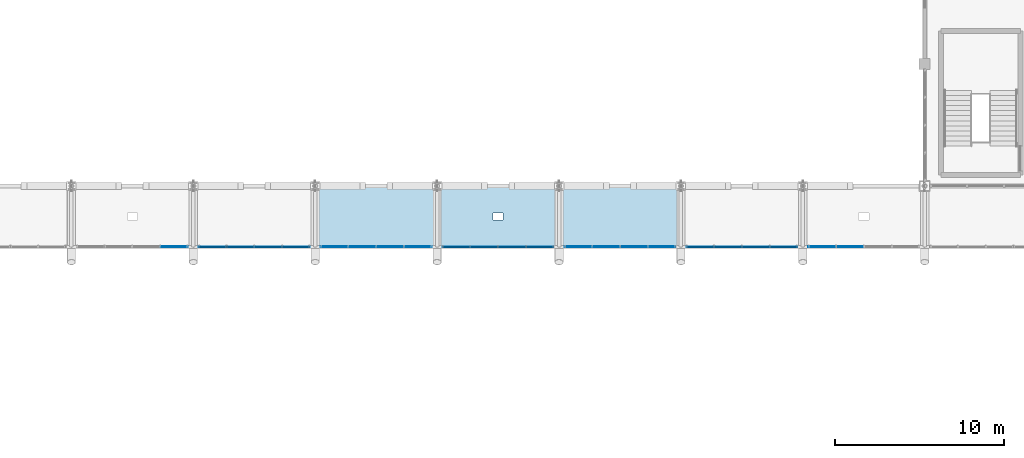
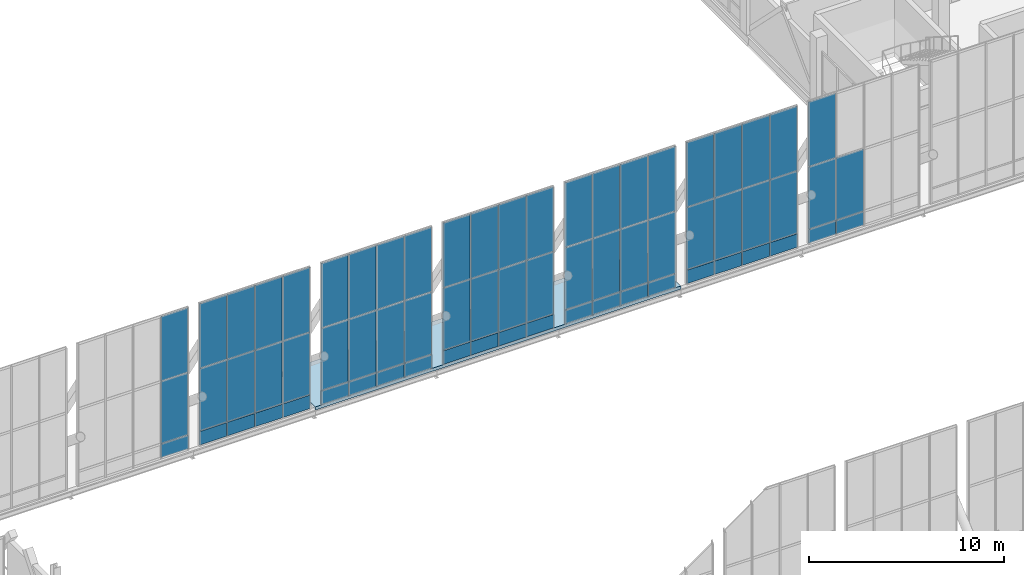
# One storey, part 79 of 102: 68 plates, 1 slab, 7 elements without a shape of their own.
"""IFC4 building model written with IfcOpenShell, lengths in metres."""

from ifc_helpers import new_model, si_unit, direction, frame, origin, origin_2d, place, context, subcontext, project, spatial, polyline, rectangle, outline, extrude, material, layer, layer_set, type_object, element, aggregate, save


model = new_model("IFC4")

# Units and contexts
model_context = context("Model", 3, precision=1e-05, world=origin(), true_north=direction((0.0, 1.0)))
body_context = subcontext(model_context, "Body", "Model", "MODEL_VIEW")
ifc_project = project(units=[si_unit("LENGTHUNIT", "METRE"), si_unit("AREAUNIT", "SQUARE_METRE"), si_unit("VOLUMEUNIT", "CUBIC_METRE"), si_unit("PLANEANGLEUNIT", "RADIAN"), si_unit("MASSUNIT", "GRAM", prefix="KILO")], contexts=[model_context])

# Site, building, storey
site_placement = place(None, origin())
site = spatial("IfcSite", under=ifc_project, at=site_placement, CompositionType="ELEMENT")
building_placement = place(site_placement, origin())
building = spatial("IfcBuilding", under=site, at=building_placement, Name="Yarey Park Central Fire Station", CompositionType="ELEMENT")
storey_placement = place(building_placement, frame((0.0, 0.0, 6.0)))
storey = spatial("IfcBuildingStorey", under=building, at=storey_placement, Name="L02", CompositionType="ELEMENT", Elevation=6.0)

# Curtain wall, plate
ifc_material_1 = material(Name="Anodized Aluminium Frame", Category="aluminium")
curtain_wall_type = type_object("IfcCurtainWallType", Name="ENV_CW_CLER_9M", PredefinedType="NOTDEFINED", material=ifc_material_1)
curtain_wall_1_placement = place(storey_placement, origin())
curtain_wall_1 = element("IfcCurtainWall", 1, at=curtain_wall_1_placement, inside=storey, type_object=curtain_wall_type, Name="CW_V2_CLER_N_02", PredefinedType="NOTDEFINED")
ifc_material_2 = material(Name="Insulated Aluminium Spandrel Panel", Category="aluminium")
ifc_layer_1 = layer(ifc_material_2, 0.055908203125)
ifc_layer_set_1 = layer_set([ifc_layer_1], Name="Insulated Aluminium Spandrel Panel")
plate_type_1 = type_object("IfcPlateType", Name="ENV_PNL_SPN_01", PredefinedType="CURTAIN_PANEL", material=ifc_layer_set_1)
plate_1_placement = place(storey_placement, frame((70.867431640625, 90.0, 0.04248046875), z_axis=(0.0, 0.0, 1.0), x_axis=(-1.0, 0.0, 0.0)))
plate_1 = element("IfcPlate", 2, at=plate_1_placement, type_object=plate_type_1, Name="CW_V2_CLER_N_02_PNL01", PredefinedType="CURTAIN_PANEL", context=body_context, shape_type="SweptSolid", body=[
    extrude(rectangle(XDim=1.60498046875, YDim=0.055908203125, at=origin_2d()), origin(), (0.0, 0.0, 1.0), 0.840087890625),
])

# Curtain wall, plates
curtain_wall_2_placement = place(storey_placement, origin())
curtain_wall_2 = element("IfcCurtainWall", 3, at=curtain_wall_2_placement, inside=storey, type_object=curtain_wall_type, Name="CW_V2_CLER_N_04", PredefinedType="NOTDEFINED")
plate_2_placement = place(storey_placement, frame((85.267578125, 90.0, 0.04248046875), z_axis=(0.0, 0.0, 1.0), x_axis=(-1.0, 0.0, 0.0)))
plate_2 = element("IfcPlate", 4, at=plate_2_placement, type_object=plate_type_1, Name="CW_V2_CLER_N_04_PNL01", PredefinedType="CURTAIN_PANEL", context=body_context, shape_type="SweptSolid", body=[
    extrude(rectangle(XDim=1.60498046875, YDim=0.055908203125, at=origin_2d()), origin(), (0.0, 0.0, 1.0), 0.840087890625),
])
plate_3_placement = place(storey_placement, frame((83.62255859375, 90.0, 0.04248046875), z_axis=(0.0, 0.0, 1.0), x_axis=(-1.0, 0.0, 0.0)))
plate_3 = element("IfcPlate", 5, at=plate_3_placement, type_object=plate_type_1, Name="CW_V2_CLER_N_04_PNL04", PredefinedType="CURTAIN_PANEL", context=body_context, shape_type="SweptSolid", body=[
    extrude(rectangle(XDim=1.60498046875, YDim=0.055908203125, at=origin_2d()), origin(), (0.0, 0.0, 1.0), 0.840087890625),
])
plate_4_placement = place(storey_placement, frame((81.9775390625, 90.0, 0.04248046875), z_axis=(0.0, 0.0, 1.0), x_axis=(-1.0, 0.0, 0.0)))
plate_4 = element("IfcPlate", 6, at=plate_4_placement, type_object=plate_type_1, Name="CW_V2_CLER_N_04_PNL07", PredefinedType="CURTAIN_PANEL", context=body_context, shape_type="SweptSolid", body=[
    extrude(rectangle(XDim=1.60498046875, YDim=0.055908203125, at=origin_2d()), origin(), (0.0, 0.0, 1.0), 0.840087890625),
])
plate_5_placement = place(storey_placement, frame((80.33251953125, 90.0, 0.04248046875), z_axis=(0.0, 0.0, 1.0), x_axis=(-1.0, 0.0, 0.0)))
plate_5 = element("IfcPlate", 7, at=plate_5_placement, type_object=plate_type_1, Name="CW_V2_CLER_N_04_PNL10", PredefinedType="CURTAIN_PANEL", context=body_context, shape_type="SweptSolid", body=[
    extrude(rectangle(XDim=1.60498046875, YDim=0.055908203125, at=origin_2d()), origin(), (0.0, 0.0, 1.0), 0.840087890625),
])

curtain_wall_3_placement = place(storey_placement, origin())
curtain_wall_3 = element("IfcCurtainWall", 8, at=curtain_wall_3_placement, inside=storey, type_object=curtain_wall_type, Name="CW_V2_CLER_N_06", PredefinedType="NOTDEFINED")
plate_6_placement = place(storey_placement, frame((99.66748046875, 90.0, 0.04248046875), z_axis=(0.0, 0.0, 1.0), x_axis=(-1.0, 0.0, 0.0)))
plate_6 = element("IfcPlate", 9, at=plate_6_placement, type_object=plate_type_1, Name="CW_V2_CLER_N_06_PNL01", PredefinedType="CURTAIN_PANEL", context=body_context, shape_type="SweptSolid", body=[
    extrude(rectangle(XDim=1.60498046875, YDim=0.055908203125, at=origin_2d()), origin(), (0.0, 0.0, 1.0), 0.840087890625),
])
plate_7_placement = place(storey_placement, frame((98.0224609375, 90.0, 0.04248046875), z_axis=(0.0, 0.0, 1.0), x_axis=(-1.0, 0.0, 0.0)))
plate_7 = element("IfcPlate", 10, at=plate_7_placement, type_object=plate_type_1, Name="CW_V2_CLER_N_06_PNL04", PredefinedType="CURTAIN_PANEL", context=body_context, shape_type="SweptSolid", body=[
    extrude(rectangle(XDim=1.60498046875, YDim=0.055908203125, at=origin_2d()), origin(), (0.0, 0.0, 1.0), 0.840087890625),
])
plate_8_placement = place(storey_placement, frame((96.37744140625, 90.0, 0.04248046875), z_axis=(0.0, 0.0, 1.0), x_axis=(-1.0, 0.0, 0.0)))
plate_8 = element("IfcPlate", 11, at=plate_8_placement, type_object=plate_type_1, Name="CW_V2_CLER_N_06_PNL07", PredefinedType="CURTAIN_PANEL", context=body_context, shape_type="SweptSolid", body=[
    extrude(rectangle(XDim=1.60498046875, YDim=0.055908203125, at=origin_2d()), origin(), (0.0, 0.0, 1.0), 0.840087890625),
])
plate_9_placement = place(storey_placement, frame((94.732421875, 90.0, 0.04248046875), z_axis=(0.0, 0.0, 1.0), x_axis=(-1.0, 0.0, 0.0)))
plate_9 = element("IfcPlate", 12, at=plate_9_placement, type_object=plate_type_1, Name="CW_V2_CLER_N_06_PNL10", PredefinedType="CURTAIN_PANEL", context=body_context, shape_type="SweptSolid", body=[
    extrude(rectangle(XDim=1.60498046875, YDim=0.055908203125, at=origin_2d()), origin(), (0.0, 0.0, 1.0), 0.840087890625),
])

curtain_wall_4_placement = place(storey_placement, origin())
curtain_wall_4 = element("IfcCurtainWall", 13, at=curtain_wall_4_placement, inside=storey, type_object=curtain_wall_type, Name="CW_V2_CLER_N_08", PredefinedType="NOTDEFINED")
plate_10_placement = place(storey_placement, frame((110.777587890625, 90.0, 0.04248046875), z_axis=(0.0, 0.0, 1.0), x_axis=(-1.0, 0.0, 0.0)))
plate_10 = element("IfcPlate", 14, at=plate_10_placement, type_object=plate_type_1, Name="CW_V2_CLER_N_08_PNL07", PredefinedType="CURTAIN_PANEL", context=body_context, shape_type="SweptSolid", body=[
    extrude(rectangle(XDim=1.60498046875, YDim=0.055908203125, at=origin_2d()), origin(), (0.0, 0.0, 1.0), 0.840087890625),
])
plate_11_placement = place(storey_placement, frame((109.132568359375, 90.0, 0.04248046875), z_axis=(0.0, 0.0, 1.0), x_axis=(-1.0, 0.0, 0.0)))
plate_11 = element("IfcPlate", 15, at=plate_11_placement, type_object=plate_type_1, Name="CW_V2_CLER_N_08_PNL10", PredefinedType="CURTAIN_PANEL", context=body_context, shape_type="SweptSolid", body=[
    extrude(rectangle(XDim=1.60498046875, YDim=0.055908203125, at=origin_2d()), origin(), (0.0, 0.0, 1.0), 0.840087890625),
])

curtain_wall_5_placement = place(storey_placement, origin())
curtain_wall_5 = element("IfcCurtainWall", 16, at=curtain_wall_5_placement, inside=storey, type_object=curtain_wall_type, Name="CW_V2_CLER_N_03", PredefinedType="NOTDEFINED")
ifc_layer_2 = layer(ifc_material_2, 0.077880859375)
ifc_layer_set_2 = layer_set([ifc_layer_2], Name="Insulated Aluminium Spandrel Panel")
plate_type_2 = type_object("IfcPlateType", Name="ENV_PNL_SPN_03", PredefinedType="CURTAIN_PANEL", material=ifc_layer_set_2)
plate_12_placement = place(storey_placement, frame((78.0673828125, 90.0, 0.04248046875), z_axis=(0.0, 0.0, 1.0), x_axis=(-1.0, 0.0, 0.0)))
plate_12 = element("IfcPlate", 17, at=plate_12_placement, type_object=plate_type_2, Name="CW_V2_CLER_N_03_PNL01", PredefinedType="CURTAIN_PANEL", context=body_context, shape_type="SweptSolid", body=[
    extrude(rectangle(XDim=1.60498046875, YDim=0.077880859375, at=origin_2d()), origin(), (0.0, 0.0, 1.0), 0.840087890625),
])
plate_13_placement = place(storey_placement, frame((76.422607421875, 90.0, 0.04248046875), z_axis=(0.0, 0.0, 1.0), x_axis=(-1.0, 0.0, 0.0)))
plate_13 = element("IfcPlate", 18, at=plate_13_placement, type_object=plate_type_2, Name="CW_V2_CLER_N_03_PNL04", PredefinedType="CURTAIN_PANEL", context=body_context, shape_type="SweptSolid", body=[
    extrude(rectangle(XDim=1.60498046875, YDim=0.077880859375, at=origin_2d()), origin(), (0.0, 0.0, 1.0), 0.840087890625),
])
plate_14_placement = place(storey_placement, frame((74.777587890625, 90.0, 0.04248046875), z_axis=(0.0, 0.0, 1.0), x_axis=(-1.0, 0.0, 0.0)))
plate_14 = element("IfcPlate", 19, at=plate_14_placement, type_object=plate_type_2, Name="CW_V2_CLER_N_03_PNL07", PredefinedType="CURTAIN_PANEL", context=body_context, shape_type="SweptSolid", body=[
    extrude(rectangle(XDim=1.60498046875, YDim=0.077880859375, at=origin_2d()), origin(), (0.0, 0.0, 1.0), 0.840087890625),
])
plate_15_placement = place(storey_placement, frame((73.132568359375, 90.0, 0.04248046875), z_axis=(0.0, 0.0, 1.0), x_axis=(-1.0, 0.0, 0.0)))
plate_15 = element("IfcPlate", 20, at=plate_15_placement, type_object=plate_type_2, Name="CW_V2_CLER_N_03_PNL10", PredefinedType="CURTAIN_PANEL", context=body_context, shape_type="SweptSolid", body=[
    extrude(rectangle(XDim=1.60498046875, YDim=0.077880859375, at=origin_2d()), origin(), (0.0, 0.0, 1.0), 0.840087890625),
])

curtain_wall_6_placement = place(storey_placement, origin())
curtain_wall_6 = element("IfcCurtainWall", 21, at=curtain_wall_6_placement, inside=storey, type_object=curtain_wall_type, Name="CW_V2_CLER_N_05", PredefinedType="NOTDEFINED")
plate_16_placement = place(storey_placement, frame((92.467529296875, 90.0, 0.04248046875), z_axis=(0.0, 0.0, 1.0), x_axis=(-1.0, 0.0, 0.0)))
plate_16 = element("IfcPlate", 22, at=plate_16_placement, type_object=plate_type_2, Name="CW_V2_CLER_N_05_PNL01", PredefinedType="CURTAIN_PANEL", context=body_context, shape_type="SweptSolid", body=[
    extrude(rectangle(XDim=1.60498046875, YDim=0.077880859375, at=origin_2d()), origin(), (0.0, 0.0, 1.0), 0.840087890625),
])
plate_17_placement = place(storey_placement, frame((90.822509765625, 90.0, 0.04248046875), z_axis=(0.0, 0.0, 1.0), x_axis=(-1.0, 0.0, 0.0)))
plate_17 = element("IfcPlate", 23, at=plate_17_placement, type_object=plate_type_2, Name="CW_V2_CLER_N_05_PNL04", PredefinedType="CURTAIN_PANEL", context=body_context, shape_type="SweptSolid", body=[
    extrude(rectangle(XDim=1.60498046875, YDim=0.077880859375, at=origin_2d()), origin(), (0.0, 0.0, 1.0), 0.840087890625),
])
plate_18_placement = place(storey_placement, frame((89.177490234375, 90.0, 0.04248046875), z_axis=(0.0, 0.0, 1.0), x_axis=(-1.0, 0.0, 0.0)))
plate_18 = element("IfcPlate", 24, at=plate_18_placement, type_object=plate_type_2, Name="CW_V2_CLER_N_05_PNL07", PredefinedType="CURTAIN_PANEL", context=body_context, shape_type="SweptSolid", body=[
    extrude(rectangle(XDim=1.60498046875, YDim=0.077880859375, at=origin_2d()), origin(), (0.0, 0.0, 1.0), 0.840087890625),
])
plate_19_placement = place(storey_placement, frame((87.532470703125, 90.0, 0.04248046875), z_axis=(0.0, 0.0, 1.0), x_axis=(-1.0, 0.0, 0.0)))
plate_19 = element("IfcPlate", 25, at=plate_19_placement, type_object=plate_type_2, Name="CW_V2_CLER_N_05_PNL10", PredefinedType="CURTAIN_PANEL", context=body_context, shape_type="SweptSolid", body=[
    extrude(rectangle(XDim=1.60498046875, YDim=0.077880859375, at=origin_2d()), origin(), (0.0, 0.0, 1.0), 0.840087890625),
])

curtain_wall_7_placement = place(storey_placement, origin())
curtain_wall_7 = element("IfcCurtainWall", 26, at=curtain_wall_7_placement, inside=storey, type_object=curtain_wall_type, Name="CW_V2_CLER_N_07", PredefinedType="NOTDEFINED")
plate_20_placement = place(storey_placement, frame((106.867431640625, 90.0, 0.04248046875), z_axis=(0.0, 0.0, 1.0), x_axis=(-1.0, 0.0, 0.0)))
plate_20 = element("IfcPlate", 27, at=plate_20_placement, type_object=plate_type_2, Name="CW_V2_CLER_N_07_PNL01", PredefinedType="CURTAIN_PANEL", context=body_context, shape_type="SweptSolid", body=[
    extrude(rectangle(XDim=1.60498046875, YDim=0.077880859375, at=origin_2d()), origin(), (0.0, 0.0, 1.0), 0.840087890625),
])
plate_21_placement = place(storey_placement, frame((105.222412109375, 90.0, 0.04248046875), z_axis=(0.0, 0.0, 1.0), x_axis=(-1.0, 0.0, 0.0)))
plate_21 = element("IfcPlate", 28, at=plate_21_placement, type_object=plate_type_2, Name="CW_V2_CLER_N_07_PNL04", PredefinedType="CURTAIN_PANEL", context=body_context, shape_type="SweptSolid", body=[
    extrude(rectangle(XDim=1.60498046875, YDim=0.077880859375, at=origin_2d()), origin(), (0.0, 0.0, 1.0), 0.840087890625),
])
plate_22_placement = place(storey_placement, frame((103.577392578125, 90.0, 0.04248046875), z_axis=(0.0, 0.0, 1.0), x_axis=(-1.0, 0.0, 0.0)))
plate_22 = element("IfcPlate", 29, at=plate_22_placement, type_object=plate_type_2, Name="CW_V2_CLER_N_07_PNL07", PredefinedType="CURTAIN_PANEL", context=body_context, shape_type="SweptSolid", body=[
    extrude(rectangle(XDim=1.60498046875, YDim=0.077880859375, at=origin_2d()), origin(), (0.0, 0.0, 1.0), 0.840087890625),
])
plate_23_placement = place(storey_placement, frame((101.9326171875, 90.0, 0.04248046875), z_axis=(0.0, 0.0, 1.0), x_axis=(-1.0, 0.0, 0.0)))
plate_23 = element("IfcPlate", 30, at=plate_23_placement, type_object=plate_type_2, Name="CW_V2_CLER_N_07_PNL10", PredefinedType="CURTAIN_PANEL", context=body_context, shape_type="SweptSolid", body=[
    extrude(rectangle(XDim=1.60498046875, YDim=0.077880859375, at=origin_2d()), origin(), (0.0, 0.0, 1.0), 0.840087890625),
])

# Plate
ifc_material_3 = material(Name="Laminated Hurricane Low-E Glass", Category="glass")
ifc_layer_3 = layer(ifc_material_3, 0.02392578125)
ifc_layer_set_3 = layer_set([ifc_layer_3], Name="Laminated Hurricane Low-E Glass")
plate_type_3 = type_object("IfcPlateType", Name="ENV_PNL_VIS_01", PredefinedType="CURTAIN_PANEL", material=ifc_layer_set_3)
plate_24_placement = place(storey_placement, frame((70.867431640625, 90.0, 0.91748046875), z_axis=(0.0, 0.0, 1.0), x_axis=(-1.0, 0.0, 0.0)))
plate_24 = element("IfcPlate", 31, at=plate_24_placement, type_object=plate_type_3, Name="CW_V2_CLER_N_02_PNL02", PredefinedType="CURTAIN_PANEL", context=body_context, shape_type="SweptSolid", body=[
    extrude(rectangle(XDim=1.60498046875, YDim=0.02392578125, at=origin_2d()), origin(), (0.0, 0.0, 1.0), 3.87109375),
])

plate_25_placement = place(storey_placement, frame((70.867431640625, 90.0, 4.82373046875), z_axis=(0.0, 0.0, 1.0), x_axis=(-1.0, 0.0, 0.0)))
plate_25 = element("IfcPlate", 32, at=plate_25_placement, type_object=plate_type_3, Name="CW_V2_CLER_N_02_PNL03", PredefinedType="CURTAIN_PANEL", context=body_context, shape_type="SweptSolid", body=[
    extrude(rectangle(XDim=1.60498046875, YDim=0.02392578125, at=origin_2d()), origin(), (0.0, 0.0, 1.0), 4.033935546875),
])

aggregate(curtain_wall_1, [plate_1, plate_24, plate_25])

plate_26_placement = place(storey_placement, frame((85.267578125, 90.0, 0.91748046875), z_axis=(0.0, 0.0, 1.0), x_axis=(-1.0, 0.0, 0.0)))
plate_26 = element("IfcPlate", 33, at=plate_26_placement, type_object=plate_type_3, Name="CW_V2_CLER_N_04_PNL02", PredefinedType="CURTAIN_PANEL", context=body_context, shape_type="SweptSolid", body=[
    extrude(rectangle(XDim=1.60498046875, YDim=0.02392578125, at=origin_2d()), origin(), (0.0, 0.0, 1.0), 3.87109375),
])

plate_27_placement = place(storey_placement, frame((85.267578125, 90.0, 4.82373046875), z_axis=(0.0, 0.0, 1.0), x_axis=(-1.0, 0.0, 0.0)))
plate_27 = element("IfcPlate", 34, at=plate_27_placement, type_object=plate_type_3, Name="CW_V2_CLER_N_04_PNL03", PredefinedType="CURTAIN_PANEL", context=body_context, shape_type="SweptSolid", body=[
    extrude(rectangle(XDim=1.60498046875, YDim=0.02392578125, at=origin_2d()), origin(), (0.0, 0.0, 1.0), 4.033935546875),
])

plate_28_placement = place(storey_placement, frame((83.62255859375, 90.0, 0.91748046875), z_axis=(0.0, 0.0, 1.0), x_axis=(-1.0, 0.0, 0.0)))
plate_28 = element("IfcPlate", 35, at=plate_28_placement, type_object=plate_type_3, Name="CW_V2_CLER_N_04_PNL05", PredefinedType="CURTAIN_PANEL", context=body_context, shape_type="SweptSolid", body=[
    extrude(rectangle(XDim=1.60498046875, YDim=0.02392578125, at=origin_2d()), origin(), (0.0, 0.0, 1.0), 3.87109375),
])

plate_29_placement = place(storey_placement, frame((83.62255859375, 90.0, 4.82373046875), z_axis=(0.0, 0.0, 1.0), x_axis=(-1.0, 0.0, 0.0)))
plate_29 = element("IfcPlate", 36, at=plate_29_placement, type_object=plate_type_3, Name="CW_V2_CLER_N_04_PNL06", PredefinedType="CURTAIN_PANEL", context=body_context, shape_type="SweptSolid", body=[
    extrude(rectangle(XDim=1.60498046875, YDim=0.02392578125, at=origin_2d()), origin(), (0.0, 0.0, 1.0), 4.033935546875),
])

plate_30_placement = place(storey_placement, frame((81.9775390625, 90.0, 0.91748046875), z_axis=(0.0, 0.0, 1.0), x_axis=(-1.0, 0.0, 0.0)))
plate_30 = element("IfcPlate", 37, at=plate_30_placement, type_object=plate_type_3, Name="CW_V2_CLER_N_04_PNL08", PredefinedType="CURTAIN_PANEL", context=body_context, shape_type="SweptSolid", body=[
    extrude(rectangle(XDim=1.60498046875, YDim=0.02392578125, at=origin_2d()), origin(), (0.0, 0.0, 1.0), 3.87109375),
])

plate_31_placement = place(storey_placement, frame((81.9775390625, 90.0, 4.82373046875), z_axis=(0.0, 0.0, 1.0), x_axis=(-1.0, 0.0, 0.0)))
plate_31 = element("IfcPlate", 38, at=plate_31_placement, type_object=plate_type_3, Name="CW_V2_CLER_N_04_PNL09", PredefinedType="CURTAIN_PANEL", context=body_context, shape_type="SweptSolid", body=[
    extrude(rectangle(XDim=1.60498046875, YDim=0.02392578125, at=origin_2d()), origin(), (0.0, 0.0, 1.0), 4.033935546875),
])

plate_32_placement = place(storey_placement, frame((80.33251953125, 90.0, 0.91748046875), z_axis=(0.0, 0.0, 1.0), x_axis=(-1.0, 0.0, 0.0)))
plate_32 = element("IfcPlate", 39, at=plate_32_placement, type_object=plate_type_3, Name="CW_V2_CLER_N_04_PNL11", PredefinedType="CURTAIN_PANEL", context=body_context, shape_type="SweptSolid", body=[
    extrude(rectangle(XDim=1.60498046875, YDim=0.02392578125, at=origin_2d()), origin(), (0.0, 0.0, 1.0), 3.87109375),
])

plate_33_placement = place(storey_placement, frame((80.33251953125, 90.0, 4.82373046875), z_axis=(0.0, 0.0, 1.0), x_axis=(-1.0, 0.0, 0.0)))
plate_33 = element("IfcPlate", 40, at=plate_33_placement, type_object=plate_type_3, Name="CW_V2_CLER_N_04_PNL12", PredefinedType="CURTAIN_PANEL", context=body_context, shape_type="SweptSolid", body=[
    extrude(rectangle(XDim=1.60498046875, YDim=0.02392578125, at=origin_2d()), origin(), (0.0, 0.0, 1.0), 4.033935546875),
])

aggregate(curtain_wall_2, [plate_2, plate_26, plate_27, plate_3, plate_28, plate_29, plate_4, plate_30, plate_31, plate_5, plate_32, plate_33])

plate_34_placement = place(storey_placement, frame((99.66748046875, 90.0, 0.91748046875), z_axis=(0.0, 0.0, 1.0), x_axis=(-1.0, 0.0, 0.0)))
plate_34 = element("IfcPlate", 41, at=plate_34_placement, type_object=plate_type_3, Name="CW_V2_CLER_N_06_PNL02", PredefinedType="CURTAIN_PANEL", context=body_context, shape_type="SweptSolid", body=[
    extrude(rectangle(XDim=1.60498046875, YDim=0.02392578125, at=origin_2d()), origin(), (0.0, 0.0, 1.0), 3.87109375),
])

plate_35_placement = place(storey_placement, frame((99.66748046875, 90.0, 4.82373046875), z_axis=(0.0, 0.0, 1.0), x_axis=(-1.0, 0.0, 0.0)))
plate_35 = element("IfcPlate", 42, at=plate_35_placement, type_object=plate_type_3, Name="CW_V2_CLER_N_06_PNL03", PredefinedType="CURTAIN_PANEL", context=body_context, shape_type="SweptSolid", body=[
    extrude(rectangle(XDim=1.60498046875, YDim=0.02392578125, at=origin_2d()), origin(), (0.0, 0.0, 1.0), 4.033935546875),
])

plate_36_placement = place(storey_placement, frame((98.0224609375, 90.0, 0.91748046875), z_axis=(0.0, 0.0, 1.0), x_axis=(-1.0, 0.0, 0.0)))
plate_36 = element("IfcPlate", 43, at=plate_36_placement, type_object=plate_type_3, Name="CW_V2_CLER_N_06_PNL05", PredefinedType="CURTAIN_PANEL", context=body_context, shape_type="SweptSolid", body=[
    extrude(rectangle(XDim=1.60498046875, YDim=0.02392578125, at=origin_2d()), origin(), (0.0, 0.0, 1.0), 3.87109375),
])

plate_37_placement = place(storey_placement, frame((98.0224609375, 90.0, 4.82373046875), z_axis=(0.0, 0.0, 1.0), x_axis=(-1.0, 0.0, 0.0)))
plate_37 = element("IfcPlate", 44, at=plate_37_placement, type_object=plate_type_3, Name="CW_V2_CLER_N_06_PNL06", PredefinedType="CURTAIN_PANEL", context=body_context, shape_type="SweptSolid", body=[
    extrude(rectangle(XDim=1.60498046875, YDim=0.02392578125, at=origin_2d()), origin(), (0.0, 0.0, 1.0), 4.033935546875),
])

plate_38_placement = place(storey_placement, frame((96.37744140625, 90.0, 0.91748046875), z_axis=(0.0, 0.0, 1.0), x_axis=(-1.0, 0.0, 0.0)))
plate_38 = element("IfcPlate", 45, at=plate_38_placement, type_object=plate_type_3, Name="CW_V2_CLER_N_06_PNL08", PredefinedType="CURTAIN_PANEL", context=body_context, shape_type="SweptSolid", body=[
    extrude(rectangle(XDim=1.60498046875, YDim=0.02392578125, at=origin_2d()), origin(), (0.0, 0.0, 1.0), 3.87109375),
])

plate_39_placement = place(storey_placement, frame((96.37744140625, 90.0, 4.82373046875), z_axis=(0.0, 0.0, 1.0), x_axis=(-1.0, 0.0, 0.0)))
plate_39 = element("IfcPlate", 46, at=plate_39_placement, type_object=plate_type_3, Name="CW_V2_CLER_N_06_PNL09", PredefinedType="CURTAIN_PANEL", context=body_context, shape_type="SweptSolid", body=[
    extrude(rectangle(XDim=1.60498046875, YDim=0.02392578125, at=origin_2d()), origin(), (0.0, 0.0, 1.0), 4.033935546875),
])

plate_40_placement = place(storey_placement, frame((94.732421875, 90.0, 0.91748046875), z_axis=(0.0, 0.0, 1.0), x_axis=(-1.0, 0.0, 0.0)))
plate_40 = element("IfcPlate", 47, at=plate_40_placement, type_object=plate_type_3, Name="CW_V2_CLER_N_06_PNL11", PredefinedType="CURTAIN_PANEL", context=body_context, shape_type="SweptSolid", body=[
    extrude(rectangle(XDim=1.60498046875, YDim=0.02392578125, at=origin_2d()), origin(), (0.0, 0.0, 1.0), 3.87109375),
])

plate_41_placement = place(storey_placement, frame((94.732421875, 90.0, 4.82373046875), z_axis=(0.0, 0.0, 1.0), x_axis=(-1.0, 0.0, 0.0)))
plate_41 = element("IfcPlate", 48, at=plate_41_placement, type_object=plate_type_3, Name="CW_V2_CLER_N_06_PNL12", PredefinedType="CURTAIN_PANEL", context=body_context, shape_type="SweptSolid", body=[
    extrude(rectangle(XDim=1.60498046875, YDim=0.02392578125, at=origin_2d()), origin(), (0.0, 0.0, 1.0), 4.033935546875),
])

aggregate(curtain_wall_3, [plate_6, plate_34, plate_35, plate_7, plate_36, plate_37, plate_8, plate_38, plate_39, plate_9, plate_40, plate_41])

plate_42_placement = place(storey_placement, frame((110.777587890625, 90.0, 0.91748046875), z_axis=(0.0, 0.0, 1.0), x_axis=(-1.0, 0.0, 0.0)))
plate_42 = element("IfcPlate", 49, at=plate_42_placement, type_object=plate_type_3, Name="CW_V2_CLER_N_08_PNL08", PredefinedType="CURTAIN_PANEL", context=body_context, shape_type="SweptSolid", body=[
    extrude(rectangle(XDim=1.60498046875, YDim=0.02392578125, at=origin_2d()), origin(), (0.0, 0.0, 1.0), 3.87109375),
])

plate_43_placement = place(storey_placement, frame((109.132568359375, 90.0, 0.91748046875), z_axis=(0.0, 0.0, 1.0), x_axis=(-1.0, 0.0, 0.0)))
plate_43 = element("IfcPlate", 50, at=plate_43_placement, type_object=plate_type_3, Name="CW_V2_CLER_N_08_PNL11", PredefinedType="CURTAIN_PANEL", context=body_context, shape_type="SweptSolid", body=[
    extrude(rectangle(XDim=1.60498046875, YDim=0.02392578125, at=origin_2d()), origin(), (0.0, 0.0, 1.0), 3.87109375),
])

plate_44_placement = place(storey_placement, frame((109.132568359375, 90.0, 4.82373046875), z_axis=(0.0, 0.0, 1.0), x_axis=(-1.0, 0.0, 0.0)))
plate_44 = element("IfcPlate", 51, at=plate_44_placement, type_object=plate_type_3, Name="CW_V2_CLER_N_08_PNL12", PredefinedType="CURTAIN_PANEL", context=body_context, shape_type="SweptSolid", body=[
    extrude(rectangle(XDim=1.60498046875, YDim=0.02392578125, at=origin_2d()), origin(), (0.0, 0.0, 1.0), 4.033935546875),
])

aggregate(curtain_wall_4, [plate_10, plate_42, plate_11, plate_43, plate_44])

ifc_layer_4 = layer(ifc_material_3, 0.0380859375)
ifc_layer_set_4 = layer_set([ifc_layer_4], Name="Laminated Hurricane Low-E Glass")
plate_type_4 = type_object("IfcPlateType", Name="ENV_PNL_VIS_03", PredefinedType="CURTAIN_PANEL", material=ifc_layer_set_4)
plate_45_placement = place(storey_placement, frame((78.0673828125, 90.0, 0.91748046875), z_axis=(0.0, 0.0, 1.0), x_axis=(-1.0, 0.0, 0.0)))
plate_45 = element("IfcPlate", 52, at=plate_45_placement, type_object=plate_type_4, Name="CW_V2_CLER_N_03_PNL02", PredefinedType="CURTAIN_PANEL", context=body_context, shape_type="SweptSolid", body=[
    extrude(rectangle(XDim=1.60498046875, YDim=0.0380859375, at=origin_2d()), origin(), (0.0, 0.0, 1.0), 3.87109375),
])

plate_46_placement = place(storey_placement, frame((78.0673828125, 90.0, 4.82373046875), z_axis=(0.0, 0.0, 1.0), x_axis=(-1.0, 0.0, 0.0)))
plate_46 = element("IfcPlate", 53, at=plate_46_placement, type_object=plate_type_4, Name="CW_V2_CLER_N_03_PNL03", PredefinedType="CURTAIN_PANEL", context=body_context, shape_type="SweptSolid", body=[
    extrude(rectangle(XDim=1.60498046875, YDim=0.0380859375, at=origin_2d()), origin(), (0.0, 0.0, 1.0), 4.033935546875),
])

plate_47_placement = place(storey_placement, frame((76.422607421875, 90.0, 0.91748046875), z_axis=(0.0, 0.0, 1.0), x_axis=(-1.0, 0.0, 0.0)))
plate_47 = element("IfcPlate", 54, at=plate_47_placement, type_object=plate_type_4, Name="CW_V2_CLER_N_03_PNL05", PredefinedType="CURTAIN_PANEL", context=body_context, shape_type="SweptSolid", body=[
    extrude(rectangle(XDim=1.60498046875, YDim=0.0380859375, at=origin_2d()), origin(), (0.0, 0.0, 1.0), 3.87109375),
])

plate_48_placement = place(storey_placement, frame((76.422607421875, 90.0, 4.82373046875), z_axis=(0.0, 0.0, 1.0), x_axis=(-1.0, 0.0, 0.0)))
plate_48 = element("IfcPlate", 55, at=plate_48_placement, type_object=plate_type_4, Name="CW_V2_CLER_N_03_PNL06", PredefinedType="CURTAIN_PANEL", context=body_context, shape_type="SweptSolid", body=[
    extrude(rectangle(XDim=1.60498046875, YDim=0.0380859375, at=origin_2d()), origin(), (0.0, 0.0, 1.0), 4.033935546875),
])

plate_49_placement = place(storey_placement, frame((74.777587890625, 90.0, 0.91748046875), z_axis=(0.0, 0.0, 1.0), x_axis=(-1.0, 0.0, 0.0)))
plate_49 = element("IfcPlate", 56, at=plate_49_placement, type_object=plate_type_4, Name="CW_V2_CLER_N_03_PNL08", PredefinedType="CURTAIN_PANEL", context=body_context, shape_type="SweptSolid", body=[
    extrude(rectangle(XDim=1.60498046875, YDim=0.0380859375, at=origin_2d()), origin(), (0.0, 0.0, 1.0), 3.87109375),
])

plate_50_placement = place(storey_placement, frame((74.777587890625, 90.0, 4.82373046875), z_axis=(0.0, 0.0, 1.0), x_axis=(-1.0, 0.0, 0.0)))
plate_50 = element("IfcPlate", 57, at=plate_50_placement, type_object=plate_type_4, Name="CW_V2_CLER_N_03_PNL09", PredefinedType="CURTAIN_PANEL", context=body_context, shape_type="SweptSolid", body=[
    extrude(rectangle(XDim=1.60498046875, YDim=0.0380859375, at=origin_2d()), origin(), (0.0, 0.0, 1.0), 4.033935546875),
])

plate_51_placement = place(storey_placement, frame((73.132568359375, 90.0, 0.91748046875), z_axis=(0.0, 0.0, 1.0), x_axis=(-1.0, 0.0, 0.0)))
plate_51 = element("IfcPlate", 58, at=plate_51_placement, type_object=plate_type_4, Name="CW_V2_CLER_N_03_PNL11", PredefinedType="CURTAIN_PANEL", context=body_context, shape_type="SweptSolid", body=[
    extrude(rectangle(XDim=1.60498046875, YDim=0.0380859375, at=origin_2d()), origin(), (0.0, 0.0, 1.0), 3.87109375),
])

plate_52_placement = place(storey_placement, frame((73.132568359375, 90.0, 4.82373046875), z_axis=(0.0, 0.0, 1.0), x_axis=(-1.0, 0.0, 0.0)))
plate_52 = element("IfcPlate", 59, at=plate_52_placement, type_object=plate_type_4, Name="CW_V2_CLER_N_03_PNL12", PredefinedType="CURTAIN_PANEL", context=body_context, shape_type="SweptSolid", body=[
    extrude(rectangle(XDim=1.60498046875, YDim=0.0380859375, at=origin_2d()), origin(), (0.0, 0.0, 1.0), 4.033935546875),
])

aggregate(curtain_wall_5, [plate_12, plate_45, plate_46, plate_13, plate_47, plate_48, plate_14, plate_49, plate_50, plate_15, plate_51, plate_52])

plate_53_placement = place(storey_placement, frame((92.467529296875, 90.0, 0.91748046875), z_axis=(0.0, 0.0, 1.0), x_axis=(-1.0, 0.0, 0.0)))
plate_53 = element("IfcPlate", 60, at=plate_53_placement, type_object=plate_type_4, Name="CW_V2_CLER_N_05_PNL02", PredefinedType="CURTAIN_PANEL", context=body_context, shape_type="SweptSolid", body=[
    extrude(rectangle(XDim=1.60498046875, YDim=0.0380859375, at=origin_2d()), origin(), (0.0, 0.0, 1.0), 3.87109375),
])

plate_54_placement = place(storey_placement, frame((92.467529296875, 90.0, 4.82373046875), z_axis=(0.0, 0.0, 1.0), x_axis=(-1.0, 0.0, 0.0)))
plate_54 = element("IfcPlate", 61, at=plate_54_placement, type_object=plate_type_4, Name="CW_V2_CLER_N_05_PNL03", PredefinedType="CURTAIN_PANEL", context=body_context, shape_type="SweptSolid", body=[
    extrude(rectangle(XDim=1.60498046875, YDim=0.0380859375, at=origin_2d()), origin(), (0.0, 0.0, 1.0), 4.033935546875),
])

plate_55_placement = place(storey_placement, frame((90.822509765625, 90.0, 0.91748046875), z_axis=(0.0, 0.0, 1.0), x_axis=(-1.0, 0.0, 0.0)))
plate_55 = element("IfcPlate", 62, at=plate_55_placement, type_object=plate_type_4, Name="CW_V2_CLER_N_05_PNL05", PredefinedType="CURTAIN_PANEL", context=body_context, shape_type="SweptSolid", body=[
    extrude(rectangle(XDim=1.60498046875, YDim=0.0380859375, at=origin_2d()), origin(), (0.0, 0.0, 1.0), 3.87109375),
])

plate_56_placement = place(storey_placement, frame((90.822509765625, 90.0, 4.82373046875), z_axis=(0.0, 0.0, 1.0), x_axis=(-1.0, 0.0, 0.0)))
plate_56 = element("IfcPlate", 63, at=plate_56_placement, type_object=plate_type_4, Name="CW_V2_CLER_N_05_PNL06", PredefinedType="CURTAIN_PANEL", context=body_context, shape_type="SweptSolid", body=[
    extrude(rectangle(XDim=1.60498046875, YDim=0.0380859375, at=origin_2d()), origin(), (0.0, 0.0, 1.0), 4.033935546875),
])

plate_57_placement = place(storey_placement, frame((89.177490234375, 90.0, 0.91748046875), z_axis=(0.0, 0.0, 1.0), x_axis=(-1.0, 0.0, 0.0)))
plate_57 = element("IfcPlate", 64, at=plate_57_placement, type_object=plate_type_4, Name="CW_V2_CLER_N_05_PNL08", PredefinedType="CURTAIN_PANEL", context=body_context, shape_type="SweptSolid", body=[
    extrude(rectangle(XDim=1.60498046875, YDim=0.0380859375, at=origin_2d()), origin(), (0.0, 0.0, 1.0), 3.87109375),
])

plate_58_placement = place(storey_placement, frame((89.177490234375, 90.0, 4.82373046875), z_axis=(0.0, 0.0, 1.0), x_axis=(-1.0, 0.0, 0.0)))
plate_58 = element("IfcPlate", 65, at=plate_58_placement, type_object=plate_type_4, Name="CW_V2_CLER_N_05_PNL09", PredefinedType="CURTAIN_PANEL", context=body_context, shape_type="SweptSolid", body=[
    extrude(rectangle(XDim=1.60498046875, YDim=0.0380859375, at=origin_2d()), origin(), (0.0, 0.0, 1.0), 4.033935546875),
])

plate_59_placement = place(storey_placement, frame((87.532470703125, 90.0, 0.91748046875), z_axis=(0.0, 0.0, 1.0), x_axis=(-1.0, 0.0, 0.0)))
plate_59 = element("IfcPlate", 66, at=plate_59_placement, type_object=plate_type_4, Name="CW_V2_CLER_N_05_PNL11", PredefinedType="CURTAIN_PANEL", context=body_context, shape_type="SweptSolid", body=[
    extrude(rectangle(XDim=1.60498046875, YDim=0.0380859375, at=origin_2d()), origin(), (0.0, 0.0, 1.0), 3.87109375),
])

plate_60_placement = place(storey_placement, frame((87.532470703125, 90.0, 4.82373046875), z_axis=(0.0, 0.0, 1.0), x_axis=(-1.0, 0.0, 0.0)))
plate_60 = element("IfcPlate", 67, at=plate_60_placement, type_object=plate_type_4, Name="CW_V2_CLER_N_05_PNL12", PredefinedType="CURTAIN_PANEL", context=body_context, shape_type="SweptSolid", body=[
    extrude(rectangle(XDim=1.60498046875, YDim=0.0380859375, at=origin_2d()), origin(), (0.0, 0.0, 1.0), 4.033935546875),
])

aggregate(curtain_wall_6, [plate_16, plate_53, plate_54, plate_17, plate_55, plate_56, plate_18, plate_57, plate_58, plate_19, plate_59, plate_60])

plate_61_placement = place(storey_placement, frame((106.867431640625, 90.0, 0.91748046875), z_axis=(0.0, 0.0, 1.0), x_axis=(-1.0, 0.0, 0.0)))
plate_61 = element("IfcPlate", 68, at=plate_61_placement, type_object=plate_type_4, Name="CW_V2_CLER_N_07_PNL02", PredefinedType="CURTAIN_PANEL", context=body_context, shape_type="SweptSolid", body=[
    extrude(rectangle(XDim=1.60498046875, YDim=0.0380859375, at=origin_2d()), origin(), (0.0, 0.0, 1.0), 3.87109375),
])

plate_62_placement = place(storey_placement, frame((106.867431640625, 90.0, 4.82373046875), z_axis=(0.0, 0.0, 1.0), x_axis=(-1.0, 0.0, 0.0)))
plate_62 = element("IfcPlate", 69, at=plate_62_placement, type_object=plate_type_4, Name="CW_V2_CLER_N_07_PNL03", PredefinedType="CURTAIN_PANEL", context=body_context, shape_type="SweptSolid", body=[
    extrude(rectangle(XDim=1.60498046875, YDim=0.0380859375, at=origin_2d()), origin(), (0.0, 0.0, 1.0), 4.033935546875),
])

plate_63_placement = place(storey_placement, frame((105.222412109375, 90.0, 0.91748046875), z_axis=(0.0, 0.0, 1.0), x_axis=(-1.0, 0.0, 0.0)))
plate_63 = element("IfcPlate", 70, at=plate_63_placement, type_object=plate_type_4, Name="CW_V2_CLER_N_07_PNL05", PredefinedType="CURTAIN_PANEL", context=body_context, shape_type="SweptSolid", body=[
    extrude(rectangle(XDim=1.60498046875, YDim=0.0380859375, at=origin_2d()), origin(), (0.0, 0.0, 1.0), 3.87109375),
])

plate_64_placement = place(storey_placement, frame((105.222412109375, 90.0, 4.82373046875), z_axis=(0.0, 0.0, 1.0), x_axis=(-1.0, 0.0, 0.0)))
plate_64 = element("IfcPlate", 71, at=plate_64_placement, type_object=plate_type_4, Name="CW_V2_CLER_N_07_PNL06", PredefinedType="CURTAIN_PANEL", context=body_context, shape_type="SweptSolid", body=[
    extrude(rectangle(XDim=1.60498046875, YDim=0.0380859375, at=origin_2d()), origin(), (0.0, 0.0, 1.0), 4.033935546875),
])

plate_65_placement = place(storey_placement, frame((103.577392578125, 90.0, 0.91748046875), z_axis=(0.0, 0.0, 1.0), x_axis=(-1.0, 0.0, 0.0)))
plate_65 = element("IfcPlate", 72, at=plate_65_placement, type_object=plate_type_4, Name="CW_V2_CLER_N_07_PNL08", PredefinedType="CURTAIN_PANEL", context=body_context, shape_type="SweptSolid", body=[
    extrude(rectangle(XDim=1.60498046875, YDim=0.0380859375, at=origin_2d()), origin(), (0.0, 0.0, 1.0), 3.87109375),
])

plate_66_placement = place(storey_placement, frame((103.577392578125, 90.0, 4.82373046875), z_axis=(0.0, 0.0, 1.0), x_axis=(-1.0, 0.0, 0.0)))
plate_66 = element("IfcPlate", 73, at=plate_66_placement, type_object=plate_type_4, Name="CW_V2_CLER_N_07_PNL09", PredefinedType="CURTAIN_PANEL", context=body_context, shape_type="SweptSolid", body=[
    extrude(rectangle(XDim=1.60498046875, YDim=0.0380859375, at=origin_2d()), origin(), (0.0, 0.0, 1.0), 4.033935546875),
])

plate_67_placement = place(storey_placement, frame((101.9326171875, 90.0, 0.91748046875), z_axis=(0.0, 0.0, 1.0), x_axis=(-1.0, 0.0, 0.0)))
plate_67 = element("IfcPlate", 74, at=plate_67_placement, type_object=plate_type_4, Name="CW_V2_CLER_N_07_PNL11", PredefinedType="CURTAIN_PANEL", context=body_context, shape_type="SweptSolid", body=[
    extrude(rectangle(XDim=1.60498046875, YDim=0.0380859375, at=origin_2d()), origin(), (0.0, 0.0, 1.0), 3.87109375),
])

plate_68_placement = place(storey_placement, frame((101.9326171875, 90.0, 4.82373046875), z_axis=(0.0, 0.0, 1.0), x_axis=(-1.0, 0.0, 0.0)))
plate_68 = element("IfcPlate", 75, at=plate_68_placement, type_object=plate_type_4, Name="CW_V2_CLER_N_07_PNL12", PredefinedType="CURTAIN_PANEL", context=body_context, shape_type="SweptSolid", body=[
    extrude(rectangle(XDim=1.60498046875, YDim=0.0380859375, at=origin_2d()), origin(), (0.0, 0.0, 1.0), 4.033935546875),
])

aggregate(curtain_wall_7, [plate_20, plate_61, plate_62, plate_21, plate_63, plate_64, plate_22, plate_65, plate_66, plate_23, plate_67, plate_68])

# Slab
ifc_material_4 = material(Name="Concrete C40/50", Category="concrete")
ifc_layer_5 = layer(ifc_material_4, 0.195068359375)
ifc_layer_set_5 = layer_set([ifc_layer_5], Name="Concrete C40/50")
slab_type = type_object("IfcSlabType", Name="STR_ROOF_FLAT195", PredefinedType="ROOF", material=ifc_layer_set_5)
slab_placement = place(storey_placement, frame((0.0, 0.0, -0.195068359375)))
element("IfcSlab", 76, at=slab_placement, inside=storey, type_object=slab_type, Name="ROOF_L02_V2_EAVE_N2", PredefinedType="ROOF", context=body_context, shape_type="SweptSolid", body=[
    extrude(outline(polyline([(79.199951171875, 90.0), (100.800048828125, 90.0), (100.800048828125, 93.60009765625), (79.199951171875, 93.60009765625), (79.199951171875, 90.0)]), holes=[polyline([(89.699951171875, 91.60009765625), (90.300048828125, 91.60009765625), (90.300048828125, 92.0), (89.699951171875, 92.0), (89.699951171875, 91.60009765625)])]), origin(), (0.0, 0.0, 1.0), 0.195068359375),
])

save(model, "model.ifc")
